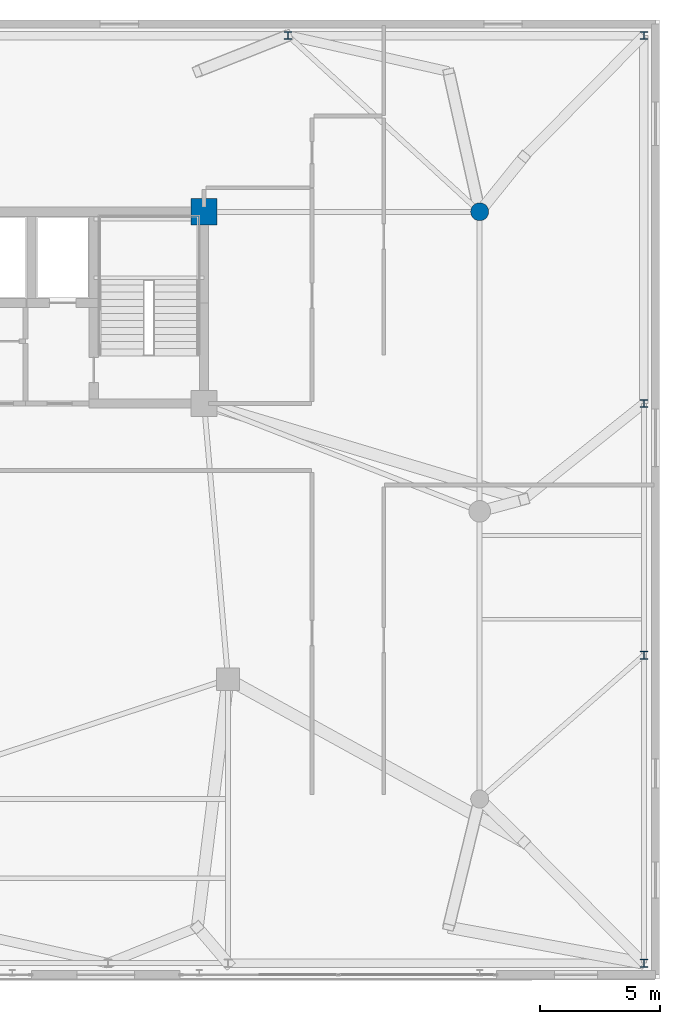
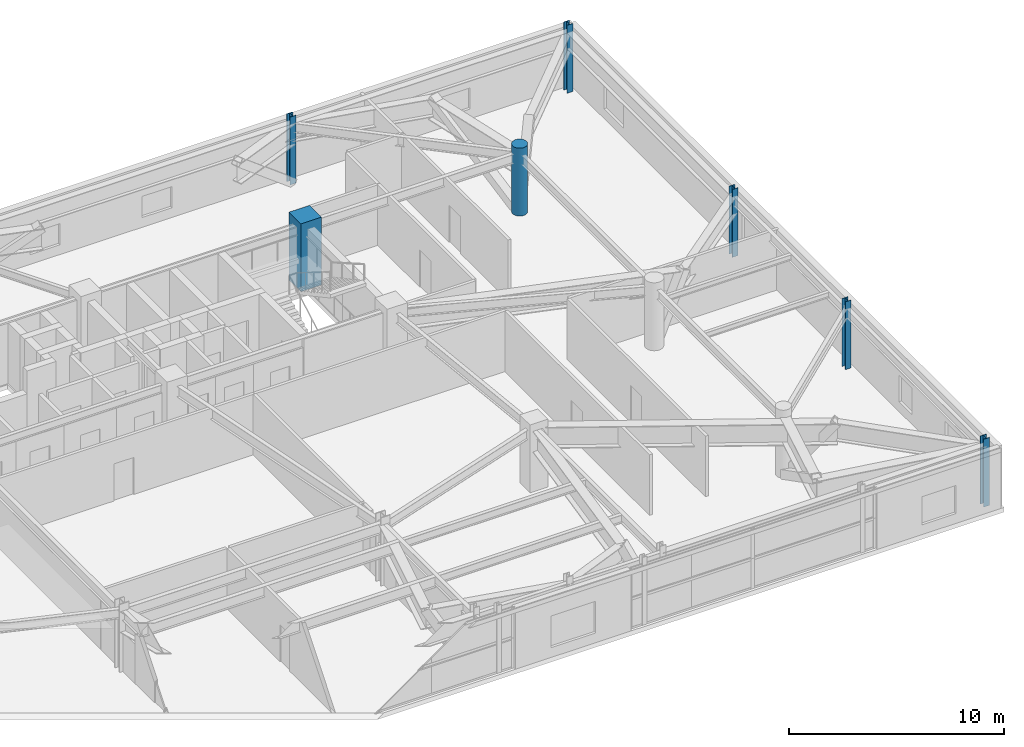
# One storey, part 4 of 27: 7 columns.
"""IFC4 building model written with IfcOpenShell, lengths in metres."""

from ifc_helpers import new_model, si_unit, direction, frame, origin, origin_2d, place, context, subcontext, project, spatial, rectangle, circle, i_section, extrude, source, transform, mapped, material, material_profile, profile_set, type_object, element, save


model = new_model("IFC4")

# Units and contexts
model_context = context("Model", 3, precision=1e-05, world=origin(), true_north=direction((0.0, 1.0)))
body_context = subcontext(model_context, "Body", "Model", "MODEL_VIEW")
ifc_project = project(units=[si_unit("LENGTHUNIT", "METRE"), si_unit("AREAUNIT", "SQUARE_METRE"), si_unit("VOLUMEUNIT", "CUBIC_METRE"), si_unit("PLANEANGLEUNIT", "RADIAN"), si_unit("MASSUNIT", "GRAM", prefix="KILO")], contexts=[model_context])

# Site, building, storey
site_placement = place(None, origin())
site = spatial("IfcSite", under=ifc_project, at=site_placement, CompositionType="ELEMENT")
building_placement = place(site_placement, origin())
building = spatial("IfcBuilding", under=site, at=building_placement, Name="Taldren Reach Tower", CompositionType="ELEMENT")
storey_placement = place(building_placement, frame((0.0, 0.0, 12.949951171875)))
storey = spatial("IfcBuildingStorey", under=building, at=storey_placement, Name="L03", CompositionType="ELEMENT", Elevation=12.949951171875)

# Columns
ifc_material_1 = material(Name="Concrete S100 (100 MPa)", Category="concrete")
ifc_material_profile_1 = material_profile(ifc_material_1, rectangle(XDim=1.10009765625, YDim=1.10009765625, at=origin_2d()), Name="RC-1100x1100")
ifc_profile_set_1 = profile_set([ifc_material_profile_1], Name="Concrete S100 (100 MPa)")
column_type_1 = type_object("IfcColumnType", Name="COL-RC1100", PredefinedType="COLUMN", material=ifc_profile_set_1)
shared_shape_1 = source(origin(), body_context, "Body", "SweptSolid", [
    extrude(rectangle(XDim=1.10009765625, YDim=1.10009765625, at=origin_2d()), origin(), (0.0, 0.0, 1.0), 3.85009765625),
])
column_1_placement = place(storey_placement, frame((51.0, 32.0, 0.0), z_axis=(0.0, 0.0, 1.0), x_axis=(1.0, 0.0, 0.0)))
element("IfcColumn", 1, at=column_1_placement, inside=storey, type_object=column_type_1, Name="Mega column MC-C8 L03", PredefinedType="COLUMN", context=body_context, shape_type="MappedRepresentation", body=[
    mapped(shared_shape_1, transform((0.0, 0.0, 0.0), scale=1.0)),
])
ifc_material_2 = material(Name="Concrete S65 (65 MPa)", Category="concrete")
ifc_material_profile_2 = material_profile(ifc_material_2, circle(Radius=0.375, at=origin_2d()), Name="RC-750D")
ifc_profile_set_2 = profile_set([ifc_material_profile_2], Name="Concrete S65 (65 MPa)")
column_type_2 = type_object("IfcColumnType", Name="COL-RCD750", PredefinedType="COLUMN", material=ifc_profile_set_2)
shared_shape_2 = source(origin(), body_context, "Body", "SweptSolid", [
    extrude(circle(Radius=0.375, at=origin_2d()), origin(), (0.0, 0.0, 1.0), 3.85009765625),
])
column_2_placement = place(storey_placement, frame((62.5, 32.0, 0.0), z_axis=(0.0, 0.0, 1.0), x_axis=(1.0, 0.0, 0.0)))
element("IfcColumn", 2, at=column_2_placement, inside=storey, type_object=column_type_2, Name="Podium structural column PG-6 L03", PredefinedType="COLUMN", context=body_context, shape_type="MappedRepresentation", body=[
    mapped(shared_shape_2, transform((0.0, 0.0, 0.0), scale=1.0)),
])
ifc_material_3 = material(Name="Steel Gr 350 (350PLUS)", Category="steel")
ifc_material_profile_3 = material_profile(ifc_material_3, i_section(OverallWidth=0.31103515625, OverallDepth=0.326904296875, WebThickness=0.015625, FlangeThickness=0.02490234375, at=origin_2d()), Name="310UC158")
ifc_profile_set_3 = profile_set([ifc_material_profile_3], Name="Steel Gr 350 (350PLUS)")
column_type_3 = type_object("IfcColumnType", Name="COL-UC310A", PredefinedType="COLUMN", material=ifc_profile_set_3)
shared_shape_3 = source(origin(), body_context, "Body", "SweptSolid", [
    extrude(i_section(OverallWidth=0.31103515625, OverallDepth=0.326904296875, WebThickness=0.015625, FlangeThickness=0.02490234375, at=origin_2d()), origin(), (0.0, 0.0, 1.0), 3.85009765625),
])
for number, where, z_axis, x_axis, name in (
    (3, (69.35009765625, 0.64990234375, 0.0), (0.0, 0.0, 1.0), (1.0, 0.0, 0.0), "Podium structural column PP-E1 L03"),
    (4, (69.35009765625, 13.5, 0.0), (0.0, 0.0, 1.0), (1.0, 0.0, 0.0), "Podium structural column PP-E2 L03"),
    (5, (69.35009765625, 24.0, 0.0), (0.0, 0.0, 1.0), (1.0, 0.0, 0.0), "Podium structural column PP-E3 L03"),
    (6, (69.35009765625, 39.35009765625, 0.0), (0.0, 0.0, 1.0), (1.0, 0.0, 0.0), "Podium structural column PP-E4 L03"),
    (7, (54.5, 39.35009765625, 0.0), (0.0, 0.0, 1.0), (1.0, 0.0, 0.0), "Podium structural column PP-N3 L03"),
):
    element("IfcColumn", number, at=place(storey_placement, frame(where, z_axis=z_axis, x_axis=x_axis)), inside=storey, type_object=column_type_3, Name=name, PredefinedType="COLUMN", context=body_context, shape_type="MappedRepresentation", body=[
        mapped(shared_shape_3, transform((0.0, 0.0, 0.0), scale=1.0)),
    ])

save(model, "model.ifc")
